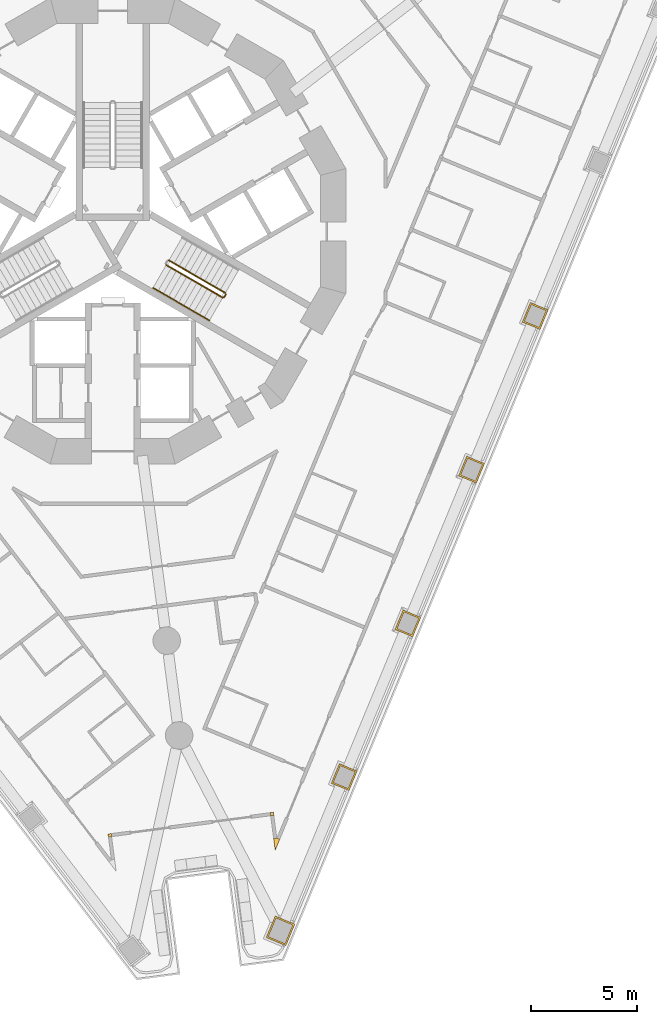
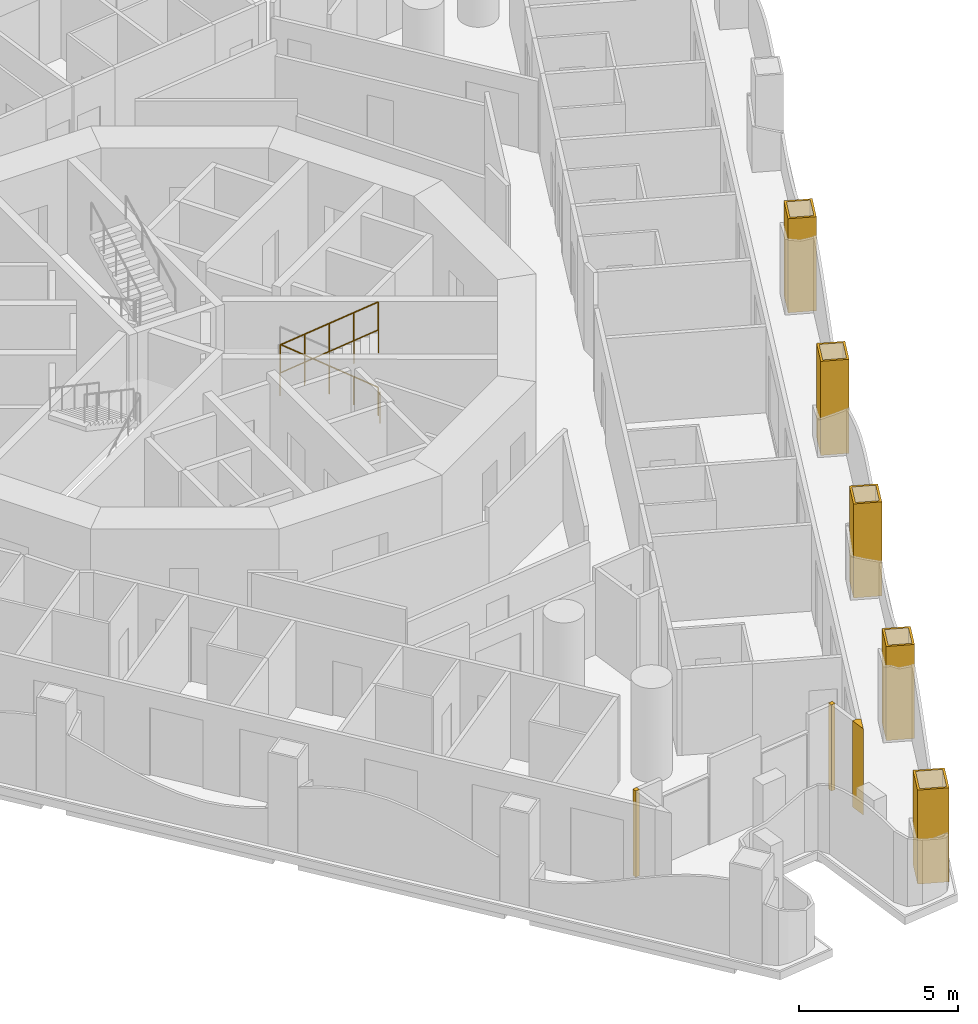
# One storey, part 14 of 19: 8 coverings, 5 railings.
"""IFC4 building model written with IfcOpenShell, lengths in metres."""

import ifcopenshell
import ifcopenshell.guid

model = None  # the IFC model being written
_history = None  # IfcOwnerHistory: only IFC2X3 demands one
_inside = {}  # id of a spatial element -> (the spatial element, [elements in it])
_under = {}  # id of a project, library or spatial element -> (it, [spatial elements below it])
_declared = {}  # id of a project -> (the project, [libraries it declares])
_typed = {}  # id of a type object -> (the type object, [elements of that type])
_made_of = {}  # id of a material, layer set ... -> (it, [elements and type objects made of it])


def new_model(schema):
    """Start an empty IFC model of exactly this schema.

    Asked for "IFC4X3", IfcOpenShell would pick the latest addendum, in which some entities
    have other attributes; the version numbers below select the first issue.
    IFC2X3 requires an IfcOwnerHistory on every rooted entity: one is made here for all.
    """
    global model, _history
    if schema == "IFC4X3":
        model = ifcopenshell.file(schema_version=(4, 3, 0, 0))
    else:
        model = ifcopenshell.file(schema=schema)
    _inside.clear()
    _under.clear()
    _declared.clear()
    _typed.clear()
    _made_of.clear()
    _history = None
    if model.schema == "IFC2X3":
        org = make("IfcOrganization", Name="unknown")
        user = make(
            "IfcPersonAndOrganization",
            ThePerson=make("IfcPerson", FamilyName="unknown"),
            TheOrganization=org,
        )
        app = make(
            "IfcApplication",
            ApplicationDeveloper=org,
            Version="unknown",
            ApplicationFullName="unknown",
            ApplicationIdentifier="unknown",
        )
        _history = make(
            "IfcOwnerHistory",
            OwningUser=user,
            OwningApplication=app,
            ChangeAction="ADDED",
            CreationDate=0,
        )
    return model


def make(cls, **values):
    """One entity of the class cls with the attributes given. An attribute that is None is left unset."""
    return model.create_entity(
        cls, **{name: value for name, value in values.items() if value is not None}
    )


def rooted(cls, **values):
    """An entity with a GlobalId (a new one), such as an element, a storey or a relation."""
    return make(cls, GlobalId=ifcopenshell.guid.new(), OwnerHistory=_history, **values)


def si_unit(unit_type, name, prefix=None):
    """IfcSIUnit, for example si_unit("LENGTHUNIT", "METRE", prefix="MILLI")."""
    return make("IfcSIUnit", UnitType=unit_type, Prefix=prefix, Name=name)


def assignment(units):
    """IfcUnitAssignment: the units of a project."""
    return None if units is None else make("IfcUnitAssignment", Units=units)


def point(xyz):
    """IfcCartesianPoint."""
    return None if xyz is None else make("IfcCartesianPoint", Coordinates=xyz)


def direction(xyz):
    """IfcDirection."""
    return None if xyz is None else make("IfcDirection", DirectionRatios=xyz)


def frame(location, z_axis=None, x_axis=None):
    """IfcAxis2Placement3D, a coordinate frame: its origin and axes. An axis left out is left unset."""
    return make(
        "IfcAxis2Placement3D",
        Location=point(location),
        Axis=direction(z_axis),
        RefDirection=direction(x_axis),
    )


def frame_2d(location, x_axis=None):
    """IfcAxis2Placement2D, a coordinate frame in the plane: its origin and x axis."""
    return make(
        "IfcAxis2Placement2D", Location=point(location), RefDirection=direction(x_axis)
    )


def origin():
    """The frame at (0, 0, 0) with its axes left unset."""
    return frame((0.0, 0.0, 0.0))


def origin_2d():
    """The frame at (0, 0) in the plane with its x axis left unset."""
    return frame_2d((0.0, 0.0))


def place(relative_to, where):
    """IfcLocalPlacement: puts the frame where relative to a parent placement (None: the world)."""
    return make(
        "IfcLocalPlacement", PlacementRelTo=relative_to, RelativePlacement=where
    )


def context(
    kind, dimensions, precision=None, world=None, true_north=None, identifier=None
):
    """IfcGeometricRepresentationContext, for example the 3D "Model" context."""
    return make(
        "IfcGeometricRepresentationContext",
        ContextIdentifier=identifier,
        ContextType=kind,
        CoordinateSpaceDimension=dimensions,
        Precision=precision,
        WorldCoordinateSystem=world,
        TrueNorth=true_north,
    )


def subcontext(parent, identifier, kind, view, scale=None):
    """IfcGeometricRepresentationSubContext, for example "Body" below "Model"."""
    return make(
        "IfcGeometricRepresentationSubContext",
        ContextIdentifier=identifier,
        ContextType=kind,
        ParentContext=parent,
        TargetScale=scale,
        TargetView=view,
    )


def project(units=None, contexts=None):
    """IfcProject with its units and contexts."""
    return rooted(
        "IfcProject",
        Name="project",
        RepresentationContexts=contexts,
        UnitsInContext=assignment(units),
    )


def spatial(cls, under=None, at=None, **own):
    """A site, building, storey or space (cls), placed at a placement, below another one or the project."""
    s = rooted(cls, ObjectPlacement=at, **own)
    if under is not None:
        _under.setdefault(under.id(), (under, []))[1].append(s)
    return s


def polyline(points):
    """IfcPolyline through the points."""
    return make("IfcPolyline", Points=[point(p) for p in points])


def profile(cls, at=None, kind="AREA", **sizes):
    """A parametric profile (cls). Its sizes go by their IFC names, for example OverallWidth=200.0."""
    return make(cls, ProfileType=kind, Position=at, **sizes)


def circle(**sizes):
    """IfcCircleProfileDef."""
    return profile("IfcCircleProfileDef", **sizes)


def outline(outer, holes=None, kind="AREA"):
    """IfcArbitraryClosedProfileDef: a profile drawn as a closed curve; with holes, ...WithVoids."""
    if holes is None:
        return make("IfcArbitraryClosedProfileDef", ProfileType=kind, OuterCurve=outer)
    return make(
        "IfcArbitraryProfileDefWithVoids",
        ProfileType=kind,
        OuterCurve=outer,
        InnerCurves=holes,
    )


def extrude(swept, where, along, depth):
    """IfcExtrudedAreaSolid: the profile swept, set in the frame where, extruded along a direction by depth."""
    return make(
        "IfcExtrudedAreaSolid",
        SweptArea=swept,
        Position=where,
        ExtrudedDirection=direction(along),
        Depth=depth,
    )


def shape(context_of_items, identifier, shape_type, items):
    """IfcShapeRepresentation: the items that make up one representation, for example the "Body"."""
    return make(
        "IfcShapeRepresentation",
        ContextOfItems=context_of_items,
        RepresentationIdentifier=identifier,
        RepresentationType=shape_type,
        Items=items,
    )


def material(Name=None, Category=None):
    """IfcMaterial."""
    return make("IfcMaterial", Name=Name, Category=Category)


def layer(
    of_material, thickness, ventilated=None, Name=None, Category=None, Priority=None
):
    """IfcMaterialLayer: one layer of a wall or slab, of a material (None: an air gap)."""
    return make(
        "IfcMaterialLayer",
        Material=of_material,
        LayerThickness=thickness,
        IsVentilated=ventilated,
        Name=Name,
        Category=Category,
        Priority=Priority,
    )


def layer_set(layers, Name=None):
    """IfcMaterialLayerSet."""
    return make("IfcMaterialLayerSet", MaterialLayers=layers, LayerSetName=Name)


def made_of(thing, what):
    """Note that an element or type object is made of a material, layer set ...; save() writes the relation."""
    if what is not None:
        _made_of.setdefault(what.id(), (what, []))[1].append(thing)
    return thing


def type_object(cls, material=None, **own):
    """A type object (cls), such as IfcWallType, which elements share."""
    return made_of(rooted(cls, **own), material)


def element(
    cls,
    number,
    at=None,
    inside=None,
    cuts=None,
    type_object=None,
    material=None,
    context=None,
    identifier="Body",
    shape_type=None,
    held_by="IfcProductDefinitionShape",
    body=None,
    shapes=None,
    **own,
):
    """One element of the class cls, such as IfcWall. Its Tag is "e" and its number.

    at: its placement. inside: the storey or other place that contains it. cuts: it is an
    opening in that element (IfcRelVoidsElement). A single representation is given by context,
    identifier, shape_type and body (its items); several are given by shapes. held_by: the class
    of the entity that holds the representations. save() writes the other relations.
    """
    e = rooted(cls, Tag="e%d" % number, ObjectPlacement=at, **own)
    if body is not None:
        shapes = [shape(context, identifier, shape_type, body)]
    if shapes is not None:
        e.Representation = make(held_by, Representations=shapes)
    if inside is not None:
        _inside.setdefault(inside.id(), (inside, []))[1].append(e)
    if cuts is not None:
        rooted(
            "IfcRelVoidsElement", RelatingBuildingElement=cuts, RelatedOpeningElement=e
        )
    if type_object is not None:
        _typed.setdefault(type_object.id(), (type_object, []))[1].append(e)
    return made_of(e, material)


def aggregate(whole, parts):
    """IfcRelAggregates: a whole, such as a stair, and the parts it consists of."""
    return rooted("IfcRelAggregates", RelatingObject=whole, RelatedObjects=parts)


def save(model, path):
    """Write the relations noted so far, then the file.

    IfcRelAggregates (storeys below a building ...), IfcRelContainedInSpatialStructure (elements
    in a storey), IfcRelDefinesByType, IfcRelAssociatesMaterial and IfcRelDeclares: one each for
    every whole, place, type object, material and project.
    """
    for whole, parts in _under.values():
        aggregate(whole, parts)
    for where, things in _inside.values():
        rooted(
            "IfcRelContainedInSpatialStructure",
            RelatedElements=things,
            RelatingStructure=where,
        )
    for kind, things in _typed.values():
        rooted("IfcRelDefinesByType", RelatedObjects=things, RelatingType=kind)
    for what, things in _made_of.values():
        rooted("IfcRelAssociatesMaterial", RelatedObjects=things, RelatingMaterial=what)
    for by, libraries in _declared.values():
        rooted("IfcRelDeclares", RelatingContext=by, RelatedDefinitions=libraries)
    model.write(path)


model = new_model("IFC4")

# Units and contexts
model_context = context("Model", 3, precision=1e-05, world=origin(), true_north=direction((0.0, 1.0)))
body_context = subcontext(model_context, "Body", "Model", "MODEL_VIEW")
ifc_project = project(units=[si_unit("LENGTHUNIT", "METRE"), si_unit("AREAUNIT", "SQUARE_METRE"), si_unit("VOLUMEUNIT", "CUBIC_METRE"), si_unit("PLANEANGLEUNIT", "RADIAN"), si_unit("MASSUNIT", "GRAM", prefix="KILO")], contexts=[model_context])

# Site, building, storey
site_placement = place(None, origin())
site = spatial("IfcSite", under=ifc_project, at=site_placement, CompositionType="ELEMENT")
building_placement = place(site_placement, origin())
building = spatial("IfcBuilding", under=site, at=building_placement, Name="Trine Commons Tower", CompositionType="ELEMENT")
storey_placement = place(building_placement, frame((0.0, 0.0, 57.60009765625)))
storey = spatial("IfcBuildingStorey", under=building, at=storey_placement, Name="L13", CompositionType="ELEMENT", Elevation=57.60009765625)

# Coverings
ifc_material_1 = material(Name="Aluminium-framed insulated wall panel", Category="aluminium")
ifc_layer_1 = layer(ifc_material_1, 0.14990234375)
ifc_layer_set_1 = layer_set([ifc_layer_1], Name="Aluminium-framed insulated wall panel")
covering_type_1 = type_object("IfcCoveringType", Name="Glazing corner post, aluminium", PredefinedType="CLADDING", material=ifc_layer_set_1)
covering_1_placement = place(storey_placement, origin())
element("IfcCovering", 1, at=covering_1_placement, inside=storey, type_object=covering_type_1, Name="Glazing corner post 2-09", PredefinedType="CLADDING", context=body_context, shape_type="SweptSolid", body=[
    extrude(outline(polyline([(87.6015625, 33.79736328125), (87.674560546875, 33.242431640625), (87.888916015625, 33.759521484375), (87.750244140625, 33.81689453125), (87.6015625, 33.79736328125)])), origin(), (0.0, 0.0, 1.0), 3.2998046875),
])
covering_2_placement = place(storey_placement, origin())
element("IfcCovering", 2, at=covering_2_placement, inside=storey, type_object=covering_type_1, Name="Glazing corner post 2-10", PredefinedType="CLADDING", context=body_context, shape_type="SweptSolid", body=[
    extrude(outline(polyline([(87.440185546875, 35.0224609375), (87.459716796875, 34.873779296875), (87.6083984375, 34.893310546875), (87.5888671875, 35.0419921875), (87.440185546875, 35.0224609375)])), origin(), (0.0, 0.0, 1.0), 3.2998046875),
])
covering_3_placement = place(storey_placement, origin())
element("IfcCovering", 3, at=covering_3_placement, inside=storey, type_object=covering_type_1, Name="Glazing corner post 2-11", PredefinedType="CLADDING", context=body_context, shape_type="SweptSolid", body=[
    extrude(outline(polyline([(79.7958984375, 33.864990234375), (79.944580078125, 33.884521484375), (79.925048828125, 34.033203125), (79.7763671875, 34.013671875), (79.7958984375, 33.864990234375)])), origin(), (0.0, 0.0, 1.0), 3.2998046875),
])
ifc_material_2 = material(Name="Limestone, honed", Category="masonry")
ifc_layer_2 = layer(ifc_material_2, 0.074951171875)
ifc_layer_set_2 = layer_set([ifc_layer_2], Name="Limestone, honed")
covering_type_2 = type_object("IfcCoveringType", Name="Limestone column cladding 75", PredefinedType="CLADDING", material=ifc_layer_set_2)
covering_4_placement = place(storey_placement, origin())
element("IfcCovering", 4, at=covering_4_placement, inside=storey, type_object=covering_type_2, Name="Limestone pier cladding 2-20", PredefinedType="CLADDING", context=body_context, shape_type="SweptSolid", body=[
    extrude(outline(polyline([(100.5673828125, 58.77587890625), (99.73583984375, 59.120361328125), (99.35302734375, 58.196533203125), (100.1845703125, 57.852294921875), (100.5673828125, 58.77587890625)]), holes=[polyline([(100.46923828125, 58.7353515625), (99.7763671875, 59.0224609375), (99.451171875, 58.2373046875), (100.14404296875, 57.9501953125), (100.46923828125, 58.7353515625)])]), origin(), (0.0, 0.0, 1.0), 3.599853515625),
])
covering_5_placement = place(storey_placement, origin())
element("IfcCovering", 5, at=covering_5_placement, inside=storey, type_object=covering_type_2, Name="Limestone pier cladding 2-21", PredefinedType="CLADDING", context=body_context, shape_type="SweptSolid", body=[
    extrude(outline(polyline([(97.55908203125, 51.513916015625), (96.727783203125, 51.858154296875), (96.344970703125, 50.934326171875), (97.176513671875, 50.590087890625), (97.55908203125, 51.513916015625)]), holes=[polyline([(97.461181640625, 51.47314453125), (96.768310546875, 51.76025390625), (96.443115234375, 50.97509765625), (97.135986328125, 50.68798828125), (97.461181640625, 51.47314453125)])]), origin(), (0.0, 0.0, 1.0), 3.599853515625),
])
covering_6_placement = place(storey_placement, origin())
element("IfcCovering", 6, at=covering_6_placement, inside=storey, type_object=covering_type_2, Name="Limestone pier cladding 2-22", PredefinedType="CLADDING", context=body_context, shape_type="SweptSolid", body=[
    extrude(outline(polyline([(94.551025390625, 44.251708984375), (93.719482421875, 44.59619140625), (93.3369140625, 43.67236328125), (94.16845703125, 43.327880859375), (94.551025390625, 44.251708984375)]), holes=[polyline([(94.453125, 44.211181640625), (93.76025390625, 44.498291015625), (93.434814453125, 43.712890625), (94.127685546875, 43.42578125), (94.453125, 44.211181640625)])]), origin(), (0.0, 0.0, 1.0), 3.599853515625),
])
covering_7_placement = place(storey_placement, origin())
element("IfcCovering", 7, at=covering_7_placement, inside=storey, type_object=covering_type_2, Name="Limestone pier cladding 2-23", PredefinedType="CLADDING", context=body_context, shape_type="SweptSolid", body=[
    extrude(outline(polyline([(91.54296875, 36.989501953125), (90.71142578125, 37.333984375), (90.328857421875, 36.41015625), (91.160400390625, 36.065673828125), (91.54296875, 36.989501953125)]), holes=[polyline([(91.445068359375, 36.948974609375), (90.752197265625, 37.236083984375), (90.4267578125, 36.45068359375), (91.11962890625, 36.16357421875), (91.445068359375, 36.948974609375)])]), origin(), (0.0, 0.0, 1.0), 3.599853515625),
])
covering_8_placement = place(storey_placement, origin())
element("IfcCovering", 8, at=covering_8_placement, inside=storey, type_object=covering_type_2, Name="Limestone pier cladding 2-24", PredefinedType="CLADDING", context=body_context, shape_type="SweptSolid", body=[
    extrude(outline(polyline([(88.60009765625, 29.75439453125), (87.67626953125, 30.13720703125), (87.25537109375, 29.120849609375), (88.17919921875, 28.738037109375), (88.60009765625, 29.75439453125)]), holes=[polyline([(88.502197265625, 29.7138671875), (87.716796875, 30.0390625), (87.353515625, 29.161376953125), (88.138671875, 28.836181640625), (88.502197265625, 29.7138671875)])]), origin(), (0.0, 0.0, 1.0), 3.599853515625),
])

# Railings
ifc_material_3 = material(Name="Stainless steel balustrade", Category="steel")
railing_type_1 = type_object("IfcRailingType", Name="Stair guard, steel balustrade 1100", PredefinedType="GUARDRAIL", material=ifc_material_3)
railing_1_placement = place(storey_placement, frame((85.31982421875, 59.572998046875, 0.14990234375)))
element("IfcRailing", 9, at=railing_1_placement, inside=storey, type_object=railing_type_1, Name="L13 ST3A stair guard 1", PredefinedType="GUARDRAIL", context=body_context, shape_type="SweptSolid", body=[
    extrude(circle(Radius=0.02392578125, at=origin_2d()), frame((0.0, 0.0, 1.076171875), z_axis=(-0.76340495495, 0.440743040072, 0.472184759798), x_axis=(-0.499992328818, -0.866029832698, 0.0)), (0.0, 0.0, 1.0), 3.494140625),
    extrude(circle(Radius=0.02099609375, at=origin_2d()), origin(), (0.0, 0.0, 1.0), 1.052001953125),
    extrude(circle(Radius=0.02099609375, at=origin_2d()), frame((-0.6669921875, 0.385009765625, 0.41259765625)), (0.0, 0.0, 1.0), 1.052001953125),
    extrude(circle(Radius=0.02099609375, at=origin_2d()), frame((-1.333740234375, 0.77001953125, 0.824951171875)), (0.0, 0.0, 1.0), 1.052001953125),
    extrude(circle(Radius=0.02099609375, at=origin_2d()), frame((-2.00048828125, 1.155029296875, 1.2373046875)), (0.0, 0.0, 1.0), 1.052001953125),
    extrude(circle(Radius=0.02099609375, at=origin_2d()), frame((-2.66748046875, 1.5400390625, 1.64990234375)), (0.0, 0.0, 1.0), 1.052001953125),
])
railing_2_placement = place(storey_placement, frame((82.52734375, 60.896484375, 1.949951171875)))
element("IfcRailing", 10, at=railing_2_placement, inside=storey, type_object=railing_type_1, Name="L13 ST3A stair guard 3", PredefinedType="GUARDRAIL", context=body_context, shape_type="SweptSolid", body=[
    extrude(circle(Radius=0.02392578125, at=origin_2d()), frame((0.0, 0.0, 1.076171875), z_axis=(0.76340495495, -0.440743040072, 0.472184759798), x_axis=(0.499992328818, 0.866029832698, 0.0)), (0.0, 0.0, 1.0), 3.494140625),
    extrude(circle(Radius=0.02099609375, at=origin_2d()), origin(), (0.0, 0.0, 1.0), 1.052001953125),
    extrude(circle(Radius=0.02099609375, at=origin_2d()), frame((0.6669921875, -0.385009765625, 0.41259765625)), (0.0, 0.0, 1.0), 1.052001953125),
    extrude(circle(Radius=0.02099609375, at=origin_2d()), frame((1.333740234375, -0.77001953125, 0.824951171875)), (0.0, 0.0, 1.0), 1.052001953125),
    extrude(circle(Radius=0.02099609375, at=origin_2d()), frame((2.00048828125, -1.155029296875, 1.2373046875)), (0.0, 0.0, 1.0), 1.052001953125),
    extrude(circle(Radius=0.02099609375, at=origin_2d()), frame((2.66748046875, -1.5400390625, 1.64990234375)), (0.0, 0.0, 1.0), 1.052001953125),
])
railing_3_placement = place(storey_placement, frame((85.338134765625, 59.504638671875, 0.0)))
element("IfcRailing", 11, at=railing_3_placement, inside=storey, type_object=railing_type_1, Name="L13 ST3A stair guard 4", PredefinedType="GUARDRAIL", context=body_context, shape_type="SweptSolid", body=[
    extrude(circle(Radius=0.02392578125, at=origin_2d()), frame((0.0, 0.0, 1.076171875), z_axis=(-0.499816412211, -0.866131372301, 0.0), x_axis=(0.866131372301, -0.499816412211, 0.0)), (0.0, 0.0, 1.0), 0.14990234375),
    extrude(circle(Radius=0.02099609375, at=origin_2d()), origin(), (0.0, 0.0, 1.0), 1.052001953125),
    extrude(circle(Radius=0.02099609375, at=origin_2d()), frame((-0.074951171875, -0.1298828125, 0.0)), (0.0, 0.0, 1.0), 1.052001953125),
])
ifc_material_4 = material(Name="Stainless steel handrail", Category="steel")
railing_type_2 = type_object("IfcRailingType", Name="Stair handrail, steel 900", PredefinedType="HANDRAIL", material=ifc_material_4)
for number, where, name in (
    (12, (81.90234375, 59.81396484375, 1.949951171875), "L13 ST3A stair handrail 3"),
    (13, (83.236083984375, 59.0439453125, 2.77490234375), "L13 ST3A stair handrail 4"),
):
    element("IfcRailing", number, at=place(storey_placement, frame(where)), inside=storey, type_object=railing_type_2, Name=name, PredefinedType="HANDRAIL", context=body_context, shape_type="SweptSolid", body=[
        extrude(circle(Radius=0.02099609375, at=origin_2d()), frame((0.0, 0.0, 0.87890625), z_axis=(0.76340495495, -0.440743040072, 0.472184759798), x_axis=(0.499992328818, 0.866029832698, 0.0)), (0.0, 0.0, 1.0), 1.7470703125),
        extrude(circle(Radius=0.01513671875, at=origin_2d()), origin(), (0.0, 0.0, 1.0), 0.85791015625),
        extrude(circle(Radius=0.01513671875, at=origin_2d()), frame((0.6669921875, -0.385009765625, 0.41259765625)), (0.0, 0.0, 1.0), 0.85791015625),
        extrude(circle(Radius=0.01513671875, at=origin_2d()), frame((1.333740234375, -0.77001953125, 0.824951171875)), (0.0, 0.0, 1.0), 0.85791015625),
    ])

save(model, "model.ifc")
